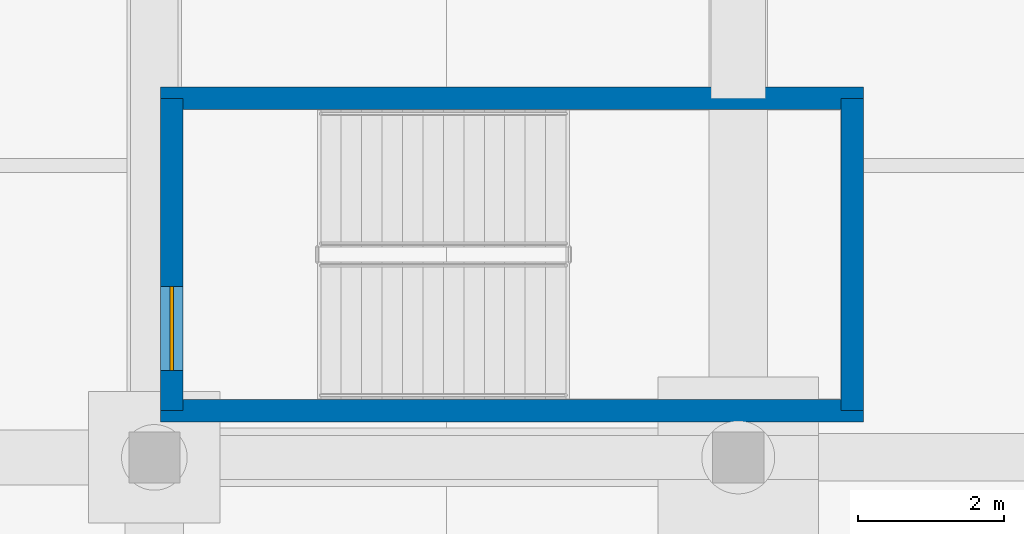
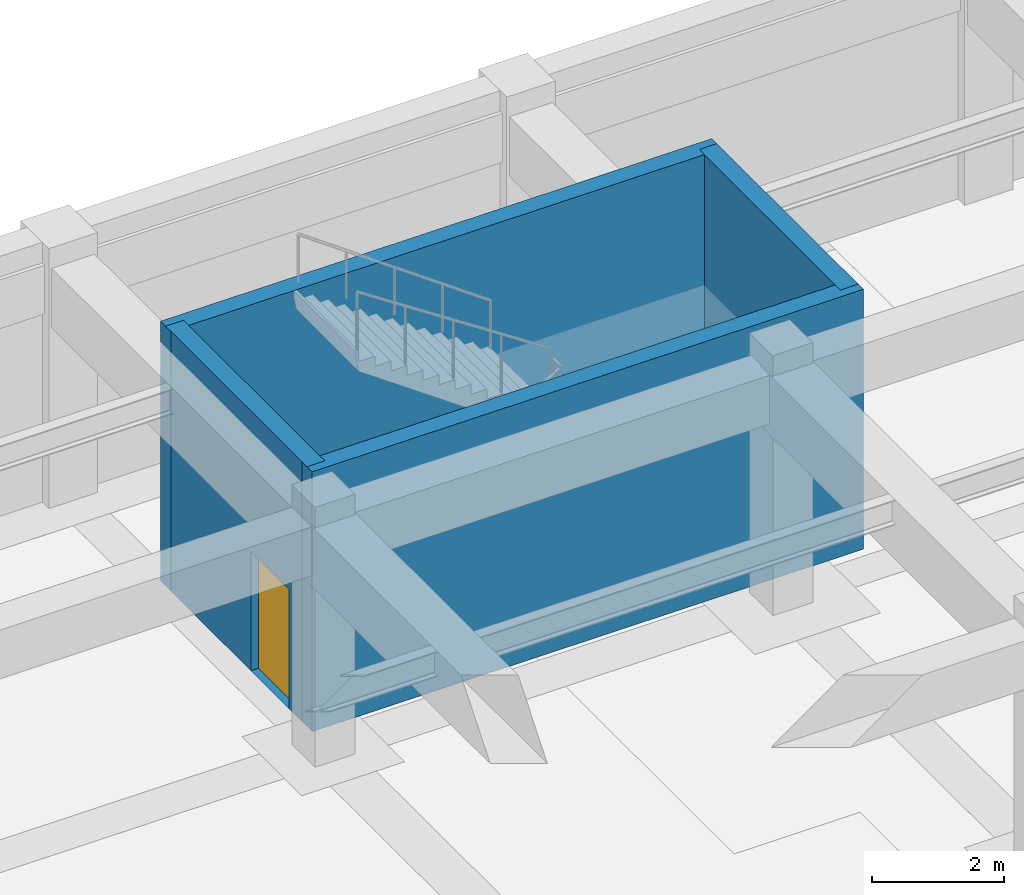
# One storey, part 34 of 48: 4 walls, 1 door, 1 opening.
"""IFC4 building model written with IfcOpenShell, lengths in metres."""

import ifcopenshell
import ifcopenshell.guid

model = None  # the IFC model being written
_history = None  # IfcOwnerHistory: only IFC2X3 demands one
_inside = {}  # id of a spatial element -> (the spatial element, [elements in it])
_under = {}  # id of a project, library or spatial element -> (it, [spatial elements below it])
_declared = {}  # id of a project -> (the project, [libraries it declares])
_typed = {}  # id of a type object -> (the type object, [elements of that type])
_made_of = {}  # id of a material, layer set ... -> (it, [elements and type objects made of it])


def new_model(schema):
    """Start an empty IFC model of exactly this schema.

    Asked for "IFC4X3", IfcOpenShell would pick the latest addendum, in which some entities
    have other attributes; the version numbers below select the first issue.
    IFC2X3 requires an IfcOwnerHistory on every rooted entity: one is made here for all.
    """
    global model, _history
    if schema == "IFC4X3":
        model = ifcopenshell.file(schema_version=(4, 3, 0, 0))
    else:
        model = ifcopenshell.file(schema=schema)
    _inside.clear()
    _under.clear()
    _declared.clear()
    _typed.clear()
    _made_of.clear()
    _history = None
    if model.schema == "IFC2X3":
        org = make("IfcOrganization", Name="unknown")
        user = make(
            "IfcPersonAndOrganization",
            ThePerson=make("IfcPerson", FamilyName="unknown"),
            TheOrganization=org,
        )
        app = make(
            "IfcApplication",
            ApplicationDeveloper=org,
            Version="unknown",
            ApplicationFullName="unknown",
            ApplicationIdentifier="unknown",
        )
        _history = make(
            "IfcOwnerHistory",
            OwningUser=user,
            OwningApplication=app,
            ChangeAction="ADDED",
            CreationDate=0,
        )
    return model


def make(cls, **values):
    """One entity of the class cls with the attributes given. An attribute that is None is left unset."""
    return model.create_entity(
        cls, **{name: value for name, value in values.items() if value is not None}
    )


def rooted(cls, **values):
    """An entity with a GlobalId (a new one), such as an element, a storey or a relation."""
    return make(cls, GlobalId=ifcopenshell.guid.new(), OwnerHistory=_history, **values)


def si_unit(unit_type, name, prefix=None):
    """IfcSIUnit, for example si_unit("LENGTHUNIT", "METRE", prefix="MILLI")."""
    return make("IfcSIUnit", UnitType=unit_type, Prefix=prefix, Name=name)


def assignment(units):
    """IfcUnitAssignment: the units of a project."""
    return None if units is None else make("IfcUnitAssignment", Units=units)


def point(xyz):
    """IfcCartesianPoint."""
    return None if xyz is None else make("IfcCartesianPoint", Coordinates=xyz)


def direction(xyz):
    """IfcDirection."""
    return None if xyz is None else make("IfcDirection", DirectionRatios=xyz)


def frame(location, z_axis=None, x_axis=None):
    """IfcAxis2Placement3D, a coordinate frame: its origin and axes. An axis left out is left unset."""
    return make(
        "IfcAxis2Placement3D",
        Location=point(location),
        Axis=direction(z_axis),
        RefDirection=direction(x_axis),
    )


def frame_2d(location, x_axis=None):
    """IfcAxis2Placement2D, a coordinate frame in the plane: its origin and x axis."""
    return make(
        "IfcAxis2Placement2D", Location=point(location), RefDirection=direction(x_axis)
    )


def origin():
    """The frame at (0, 0, 0) with its axes left unset."""
    return frame((0.0, 0.0, 0.0))


def place(relative_to, where):
    """IfcLocalPlacement: puts the frame where relative to a parent placement (None: the world)."""
    return make(
        "IfcLocalPlacement", PlacementRelTo=relative_to, RelativePlacement=where
    )


def context(
    kind, dimensions, precision=None, world=None, true_north=None, identifier=None
):
    """IfcGeometricRepresentationContext, for example the 3D "Model" context."""
    return make(
        "IfcGeometricRepresentationContext",
        ContextIdentifier=identifier,
        ContextType=kind,
        CoordinateSpaceDimension=dimensions,
        Precision=precision,
        WorldCoordinateSystem=world,
        TrueNorth=true_north,
    )


def subcontext(parent, identifier, kind, view, scale=None):
    """IfcGeometricRepresentationSubContext, for example "Body" below "Model"."""
    return make(
        "IfcGeometricRepresentationSubContext",
        ContextIdentifier=identifier,
        ContextType=kind,
        ParentContext=parent,
        TargetScale=scale,
        TargetView=view,
    )


def project(units=None, contexts=None):
    """IfcProject with its units and contexts."""
    return rooted(
        "IfcProject",
        Name="project",
        RepresentationContexts=contexts,
        UnitsInContext=assignment(units),
    )


def spatial(cls, under=None, at=None, **own):
    """A site, building, storey or space (cls), placed at a placement, below another one or the project."""
    s = rooted(cls, ObjectPlacement=at, **own)
    if under is not None:
        _under.setdefault(under.id(), (under, []))[1].append(s)
    return s


def profile(cls, at=None, kind="AREA", **sizes):
    """A parametric profile (cls). Its sizes go by their IFC names, for example OverallWidth=200.0."""
    return make(cls, ProfileType=kind, Position=at, **sizes)


def rectangle(**sizes):
    """IfcRectangleProfileDef."""
    return profile("IfcRectangleProfileDef", **sizes)


def extrude(swept, where, along, depth):
    """IfcExtrudedAreaSolid: the profile swept, set in the frame where, extruded along a direction by depth."""
    return make(
        "IfcExtrudedAreaSolid",
        SweptArea=swept,
        Position=where,
        ExtrudedDirection=direction(along),
        Depth=depth,
    )


def shape(context_of_items, identifier, shape_type, items):
    """IfcShapeRepresentation: the items that make up one representation, for example the "Body"."""
    return make(
        "IfcShapeRepresentation",
        ContextOfItems=context_of_items,
        RepresentationIdentifier=identifier,
        RepresentationType=shape_type,
        Items=items,
    )


def material(Name=None, Category=None):
    """IfcMaterial."""
    return make("IfcMaterial", Name=Name, Category=Category)


def layer(
    of_material, thickness, ventilated=None, Name=None, Category=None, Priority=None
):
    """IfcMaterialLayer: one layer of a wall or slab, of a material (None: an air gap)."""
    return make(
        "IfcMaterialLayer",
        Material=of_material,
        LayerThickness=thickness,
        IsVentilated=ventilated,
        Name=Name,
        Category=Category,
        Priority=Priority,
    )


def layer_set(layers, Name=None):
    """IfcMaterialLayerSet."""
    return make("IfcMaterialLayerSet", MaterialLayers=layers, LayerSetName=Name)


def made_of(thing, what):
    """Note that an element or type object is made of a material, layer set ...; save() writes the relation."""
    if what is not None:
        _made_of.setdefault(what.id(), (what, []))[1].append(thing)
    return thing


def type_object(cls, material=None, **own):
    """A type object (cls), such as IfcWallType, which elements share."""
    return made_of(rooted(cls, **own), material)


def element(
    cls,
    number,
    at=None,
    inside=None,
    cuts=None,
    type_object=None,
    material=None,
    context=None,
    identifier="Body",
    shape_type=None,
    held_by="IfcProductDefinitionShape",
    body=None,
    shapes=None,
    **own,
):
    """One element of the class cls, such as IfcWall. Its Tag is "e" and its number.

    at: its placement. inside: the storey or other place that contains it. cuts: it is an
    opening in that element (IfcRelVoidsElement). A single representation is given by context,
    identifier, shape_type and body (its items); several are given by shapes. held_by: the class
    of the entity that holds the representations. save() writes the other relations.
    """
    e = rooted(cls, Tag="e%d" % number, ObjectPlacement=at, **own)
    if body is not None:
        shapes = [shape(context, identifier, shape_type, body)]
    if shapes is not None:
        e.Representation = make(held_by, Representations=shapes)
    if inside is not None:
        _inside.setdefault(inside.id(), (inside, []))[1].append(e)
    if cuts is not None:
        rooted(
            "IfcRelVoidsElement", RelatingBuildingElement=cuts, RelatedOpeningElement=e
        )
    if type_object is not None:
        _typed.setdefault(type_object.id(), (type_object, []))[1].append(e)
    return made_of(e, material)


def fill(opening, filler):
    """IfcRelFillsElement: the door or window that sits in an opening."""
    return rooted(
        "IfcRelFillsElement",
        RelatingOpeningElement=opening,
        RelatedBuildingElement=filler,
    )


def aggregate(whole, parts):
    """IfcRelAggregates: a whole, such as a stair, and the parts it consists of."""
    return rooted("IfcRelAggregates", RelatingObject=whole, RelatedObjects=parts)


def save(model, path):
    """Write the relations noted so far, then the file.

    IfcRelAggregates (storeys below a building ...), IfcRelContainedInSpatialStructure (elements
    in a storey), IfcRelDefinesByType, IfcRelAssociatesMaterial and IfcRelDeclares: one each for
    every whole, place, type object, material and project.
    """
    for whole, parts in _under.values():
        aggregate(whole, parts)
    for where, things in _inside.values():
        rooted(
            "IfcRelContainedInSpatialStructure",
            RelatedElements=things,
            RelatingStructure=where,
        )
    for kind, things in _typed.values():
        rooted("IfcRelDefinesByType", RelatedObjects=things, RelatingType=kind)
    for what, things in _made_of.values():
        rooted("IfcRelAssociatesMaterial", RelatedObjects=things, RelatingMaterial=what)
    for by, libraries in _declared.values():
        rooted("IfcRelDeclares", RelatingContext=by, RelatedDefinitions=libraries)
    model.write(path)


model = new_model("IFC4")

# Units and contexts
model_context = context("Model", 3, precision=1e-05, world=origin(), true_north=direction((0.0, 1.0)))
body_context = subcontext(model_context, "Body", "Model", "MODEL_VIEW")
ifc_project = project(units=[si_unit("LENGTHUNIT", "METRE"), si_unit("AREAUNIT", "SQUARE_METRE"), si_unit("VOLUMEUNIT", "CUBIC_METRE"), si_unit("PLANEANGLEUNIT", "RADIAN"), si_unit("MASSUNIT", "GRAM", prefix="KILO")], contexts=[model_context])

# Site, building, storey
site_placement = place(None, origin())
site = spatial("IfcSite", under=ifc_project, at=site_placement, CompositionType="ELEMENT")
building_placement = place(site_placement, origin())
building = spatial("IfcBuilding", under=site, at=building_placement, Name="Tlacozan Convention Centre", CompositionType="ELEMENT")
storey_placement = place(building_placement, frame((0.0, 0.0, -4.800048828125)))
storey = spatial("IfcBuildingStorey", under=building, at=storey_placement, Name="B01", CompositionType="ELEMENT", Elevation=-4.800048828125)

# Walls
ifc_material_1 = material(Name="Concrete C40/50", Category="concrete")
ifc_layer = layer(ifc_material_1, 0.31005859375)
ifc_layer_set = layer_set([ifc_layer], Name="Concrete C40/50")
wall_type = type_object("IfcWallType", Name="Stair Shaft Shear Wall RC 310", PredefinedType="SHEAR", material=ifc_layer_set)
for number, where, z_axis, x_axis, name in (
    (1, (80.0849609375, 118.639892578125, 0.0), (0.0, 0.0, 1.0), (1.0, 0.0, 0.0), "B01 Stair Shaft Shear Wall RC 310 505"),
    (2, (80.0849609375, 122.919921875, 0.0), (0.0, 0.0, 1.0), (1.0, 0.0, 0.0), "B01 Stair Shaft Shear Wall RC 310 506"),
):
    element("IfcWall", number, at=place(storey_placement, frame(where, z_axis=z_axis, x_axis=x_axis)), inside=storey, type_object=wall_type, Name=name, PredefinedType="SHEAR", context=body_context, shape_type="SweptSolid", body=[
        extrude(rectangle(XDim=9.630126953125, YDim=0.31005859375, at=frame_2d((4.81494140625, 0.0))), origin(), (0.0, 0.0, 1.0), 4.800048828125),
    ])

# Wall, opening, door
wall_1_placement = place(storey_placement, frame((80.239990234375, 118.639892578125, 0.0), z_axis=(0.0, 0.0, 1.0), x_axis=(0.0, 1.0, 0.0)))
wall_1 = element("IfcWall", 3, at=wall_1_placement, inside=storey, type_object=wall_type, Name="B01 Stair Shaft Shear Wall RC 310 507", PredefinedType="SHEAR", context=body_context, shape_type="SweptSolid", body=[
    extrude(rectangle(XDim=4.280029296875, YDim=0.31005859375, at=frame_2d((2.14013671875, 0.0))), origin(), (0.0, 0.0, 1.0), 4.800048828125),
])
opening_placement = place(wall_1_placement, frame((0.550048828125, 0.0, 0.0)))
opening = element("IfcOpeningElement", 4, at=opening_placement, cuts=wall_1, Name="Opening FD-02", PredefinedType="OPENING", context=body_context, shape_type="SweptSolid", body=[
    extrude(rectangle(XDim=1.14990234375, YDim=2.199951171875, at=frame_2d((0.574951171875, 1.10009765625))), frame((0.0, 0.1650390625, 0.0), z_axis=(0.0, -1.0, 0.0), x_axis=(1.0, 0.0, 0.0)), (0.0, 0.0, 1.0), 0.330078125),
])
ifc_material_2 = material(Name="Fire-Rated Insulated Steel Door Leaf", Category="steel")
door_type = type_object("IfcDoorType", Name="Fire Door Stair 1150x2200 FD90", OperationType="NOTDEFINED", PredefinedType="DOOR", material=ifc_material_2)
door_placement = place(opening_placement, origin())
door = element("IfcDoor", 5, at=door_placement, inside=storey, type_object=door_type, Name="B01 Stair ST-12 Access Door", OperationType="SINGLE_SWING_LEFT", OverallHeight=2.199951171875, OverallWidth=1.14990234375, PredefinedType="DOOR", context=body_context, shape_type="SweptSolid", body=[
    extrude(rectangle(XDim=1.14990234375, YDim=2.199951171875, at=frame_2d((0.574951171875, 1.10009765625))), frame((0.0, 0.02490234375, 0.0), z_axis=(0.0, -1.0, 0.0), x_axis=(1.0, 0.0, 0.0)), (0.0, 0.0, 1.0), 0.050048828125),
])
fill(opening, door)

# Wall
wall_2_placement = place(storey_placement, frame((89.56005859375, 118.639892578125, 0.0), z_axis=(0.0, 0.0, 1.0), x_axis=(0.0, 1.0, 0.0)))
element("IfcWall", 6, at=wall_2_placement, inside=storey, type_object=wall_type, Name="B01 Stair Shaft Shear Wall RC 310 508", PredefinedType="SHEAR", context=body_context, shape_type="SweptSolid", body=[
    extrude(rectangle(XDim=4.280029296875, YDim=0.31005859375, at=frame_2d((2.14013671875, 0.0))), origin(), (0.0, 0.0, 1.0), 4.800048828125),
])

save(model, "model.ifc")
